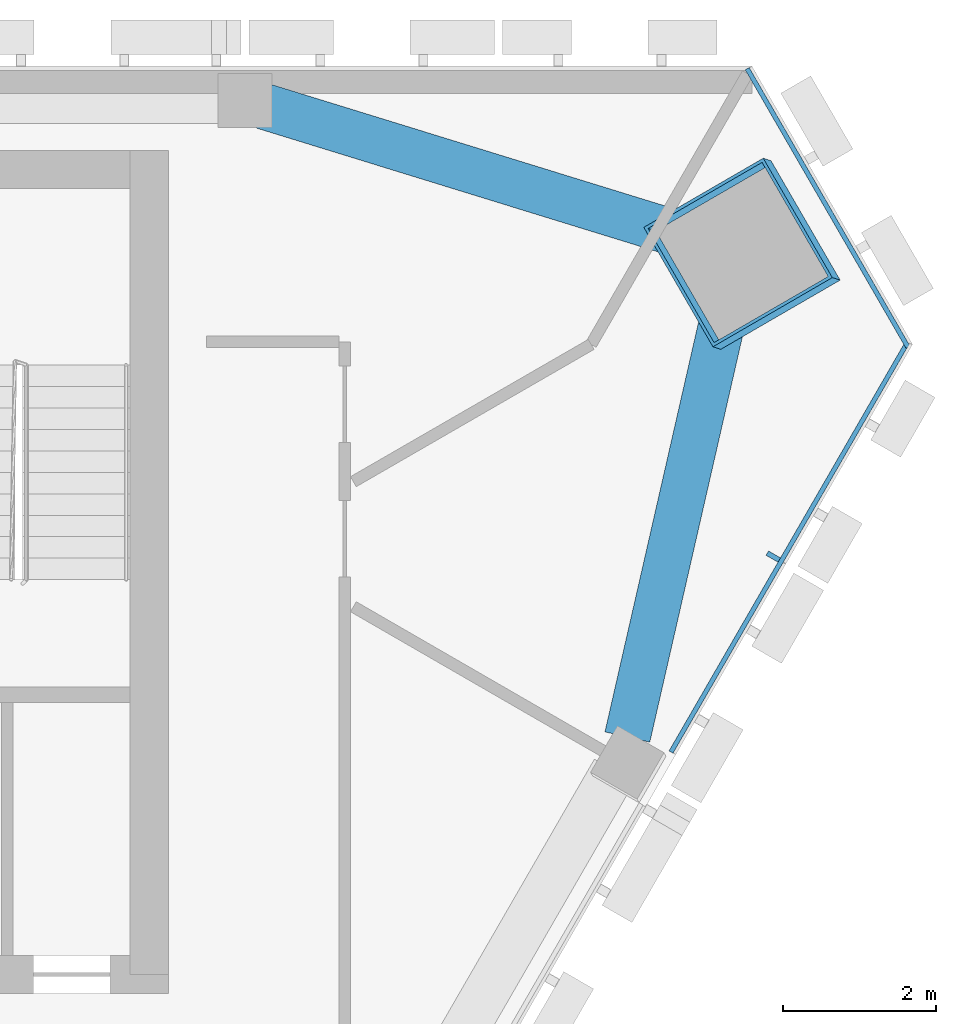
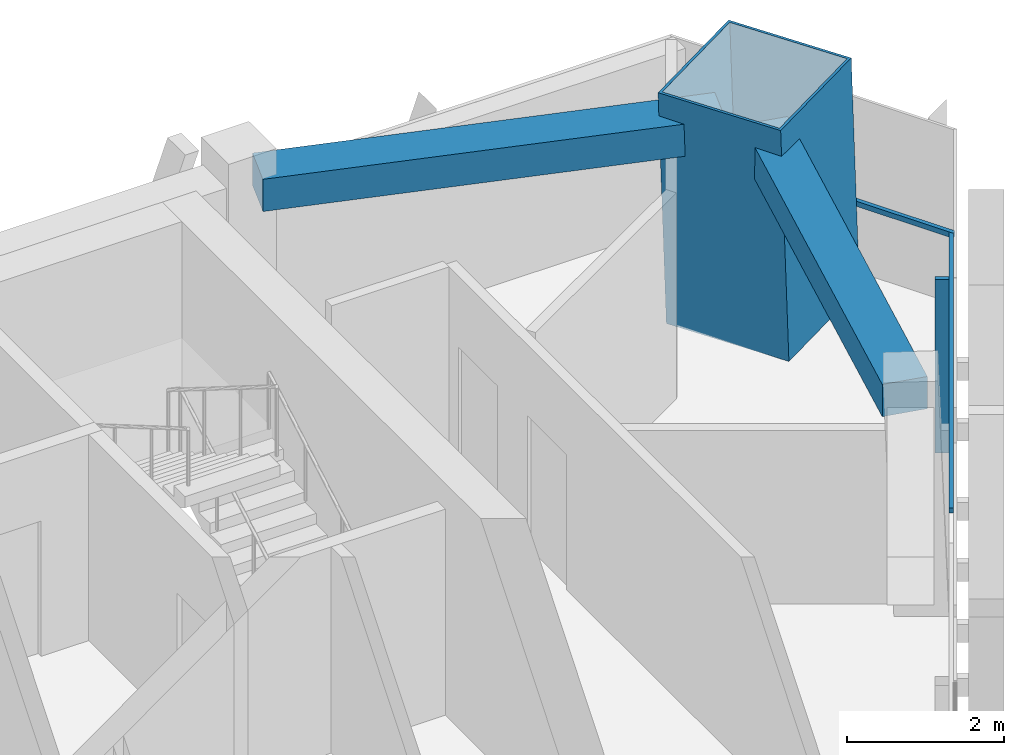
# One storey, part 6 of 12: 4 members, 2 beams, 2 elements without a shape of their own.
"""IFC4 building model written with IfcOpenShell, lengths in metres."""

from ifc_helpers import new_model, si_unit, direction, frame, origin, origin_2d, place, context, subcontext, project, spatial, rectangle, hollow_rectangle, extrude, material, layer, layer_set, material_profile, profile_set, type_object, element, aggregate, save


model = new_model("IFC4")

# Units and contexts
model_context = context("Model", 3, precision=1e-05, world=origin(), true_north=direction((0.0, 1.0)))
body_context = subcontext(model_context, "Body", "Model", "MODEL_VIEW")
ifc_project = project(units=[si_unit("LENGTHUNIT", "METRE"), si_unit("AREAUNIT", "SQUARE_METRE"), si_unit("VOLUMEUNIT", "CUBIC_METRE"), si_unit("PLANEANGLEUNIT", "RADIAN"), si_unit("MASSUNIT", "GRAM", prefix="KILO")], contexts=[model_context])

# Site, building, storey
site_placement = place(None, origin())
site = spatial("IfcSite", under=ifc_project, at=site_placement, CompositionType="ELEMENT")
building_placement = place(site_placement, origin())
building = spatial("IfcBuilding", under=site, at=building_placement, Name="Altiplano Prism Tower", CompositionType="ELEMENT")
storey_placement = place(building_placement, frame((0.0, 0.0, 298.60009765625)))
storey = spatial("IfcBuildingStorey", under=building, at=storey_placement, Name="L77", CompositionType="ELEMENT", Elevation=298.60009765625)

# Curtain wall, members
ifc_material_1 = material(Name="Aluminium and glass", Category="aluminium")
ifc_layer = layer(ifc_material_1, 0.280029296875)
ifc_layer_set = layer_set([ifc_layer], Name="Aluminium and glass")
curtain_wall_type = type_object("IfcCurtainWallType", Name="CW1 typical co-living unitised curtain wall", PredefinedType="NOTDEFINED", material=ifc_layer_set)
curtain_wall_1_placement = place(storey_placement, origin())
curtain_wall_1 = element("IfcCurtainWall", 1, at=curtain_wall_1_placement, inside=storey, type_object=curtain_wall_type, Name="CW1 curtain wall south-east face L77", PredefinedType="NOTDEFINED")
ifc_material_2 = material(Name="Aluminium", Category="aluminium")
ifc_material_profile_1 = material_profile(ifc_material_2, rectangle(XDim=0.179931640625, YDim=0.06494140625, at=origin_2d()), Name="CW1 mullion 65 x 180")
ifc_profile_set_1 = profile_set([ifc_material_profile_1], Name="Aluminium")
member_type_1 = type_object("IfcMemberType", Name="CW1 mullion 65 x 180", PredefinedType="MULLION", material=ifc_profile_set_1)
member_1_placement = place(storey_placement, frame((105.389892578125, 98.601318359375, 0.0), z_axis=(0.0, 0.0, 1.0), x_axis=(-0.866025408008, 0.499999992684, 0.0)))
member_1 = element("IfcMember", 2, at=member_1_placement, type_object=member_type_1, Name="CW1 mullion", PredefinedType="MULLION", context=body_context, shape_type="SweptSolid", body=[
    extrude(rectangle(XDim=0.179931640625, YDim=0.06494140625, at=origin_2d()), origin(), (0.0, 0.0, 1.0), 2.699951171875),
])
ifc_material_profile_2 = material_profile(ifc_material_2, rectangle(XDim=0.06005859375, YDim=0.080078125, at=origin_2d()), Name="CW1 transom 80 x 60")
ifc_profile_set_2 = profile_set([ifc_material_profile_2], Name="Aluminium")
member_type_2 = type_object("IfcMemberType", Name="CW1 transom 80 x 60", PredefinedType="USERDEFINED", material=ifc_profile_set_2)
member_2_placement = place(storey_placement, frame((104.055908203125, 96.051025390625, 1.099853515625), z_axis=(0.500017636628, 0.866015221033, 0.0), x_axis=(-0.866015221033, 0.500017636628, 0.0)))
member_2 = element("IfcMember", 3, at=member_2_placement, type_object=member_type_2, Name="CW1 transom", ObjectType="TRANSOM", PredefinedType="USERDEFINED", context=body_context, shape_type="SweptSolid", body=[
    extrude(rectangle(XDim=0.06005859375, YDim=0.080078125, at=origin_2d()), origin(), (0.0, 0.0, 1.0), 6.180908203125),
])
aggregate(curtain_wall_1, [member_1, member_2])

# Curtain wall, member
curtain_wall_2_placement = place(storey_placement, origin())
curtain_wall_2 = element("IfcCurtainWall", 4, at=curtain_wall_2_placement, inside=storey, type_object=curtain_wall_type, Name="CW1 curtain wall north-east chamfer L77", PredefinedType="NOTDEFINED")
member_3_placement = place(storey_placement, frame((107.146484375, 101.333740234375, 1.099853515625), z_axis=(-0.50002148843, 0.866012997078, 0.0), x_axis=(-0.866012997078, -0.50002148843, 0.0)))
member_3 = element("IfcMember", 5, at=member_3_placement, type_object=member_type_2, Name="CW1 transom", ObjectType="TRANSOM", PredefinedType="USERDEFINED", context=body_context, shape_type="SweptSolid", body=[
    extrude(rectangle(XDim=0.06005859375, YDim=0.080078125, at=origin_2d()), origin(), (0.0, 0.0, 1.0), 4.193115234375),
])
aggregate(curtain_wall_2, [member_3])

# Beams
ifc_material_3 = material(Name="Concrete C60/75", Category="concrete")
ifc_material_profile_3 = material_profile(ifc_material_3, rectangle(XDim=0.60009765625, YDim=0.5, at=origin_2d()), Name="Edge beam 600x500")
ifc_profile_set_3 = profile_set([ifc_material_profile_3], Name="Concrete C60/75")
beam_type = type_object("IfcBeamType", Name="Edge beam 600x500", PredefinedType="SPANDREL", material=ifc_profile_set_3)
beam_1_placement = place(storey_placement, frame((103.48681640625, 96.24755859375, 2.949951171875), z_axis=(0.22269843352, 0.974887382064, 0.0), x_axis=(-0.974887382064, 0.22269843352, 0.0)))
element("IfcBeam", 6, at=beam_1_placement, inside=storey, type_object=beam_type, Name="Edge beam P24-M2 L78", PredefinedType="SPANDREL", context=body_context, shape_type="SweptSolid", body=[
    extrude(rectangle(XDim=0.60009765625, YDim=0.5, at=origin_2d()), origin(), (0.0, 0.0, 1.0), 6.032958984375),
])
beam_2_placement = place(storey_placement, frame((104.500732421875, 102.7001953125, 2.949951171875), z_axis=(-0.955621379602, 0.294597655876, 0.0), x_axis=(-0.294597655876, -0.955621379602, 0.0)))
element("IfcBeam", 7, at=beam_2_placement, inside=storey, type_object=beam_type, Name="Edge beam M2-P01 L78", PredefinedType="SPANDREL", context=body_context, shape_type="SweptSolid", body=[
    extrude(rectangle(XDim=0.60009765625, YDim=0.5, at=origin_2d()), origin(), (0.0, 0.0, 1.0), 6.033203125),
])

# Member
ifc_material_4 = material(Name="Steel S460", Category="steel")
ifc_material_profile_4 = material_profile(ifc_material_4, hollow_rectangle(XDim=1.800048828125, YDim=1.800048828125, WallThickness=0.0400390625, at=origin_2d()), Name="Mega column tube 1800")
ifc_profile_set_4 = profile_set([ifc_material_profile_4], Name="Steel S460")
member_type_3 = type_object("IfcMemberType", Name="Mega column tube 1800", PredefinedType="POST", material=ifc_profile_set_4)
member_4_placement = place(storey_placement, frame((105.032958984375, 102.534423828125, 0.0), z_axis=(-0.028403739082, 0.009219352065, 0.999554016126), x_axis=(0.500752505368, -0.865305502665, 0.022210705196)))
element("IfcMember", 8, at=member_4_placement, inside=storey, type_object=member_type_3, Name="Mega column tube M2 L77", PredefinedType="POST", context=body_context, shape_type="SweptSolid", body=[
    extrude(hollow_rectangle(XDim=1.800048828125, YDim=1.800048828125, WallThickness=0.0400390625, at=origin_2d()), origin(), (0.0, 0.0, 1.0), 3.6015625),
])

save(model, "model.ifc")
